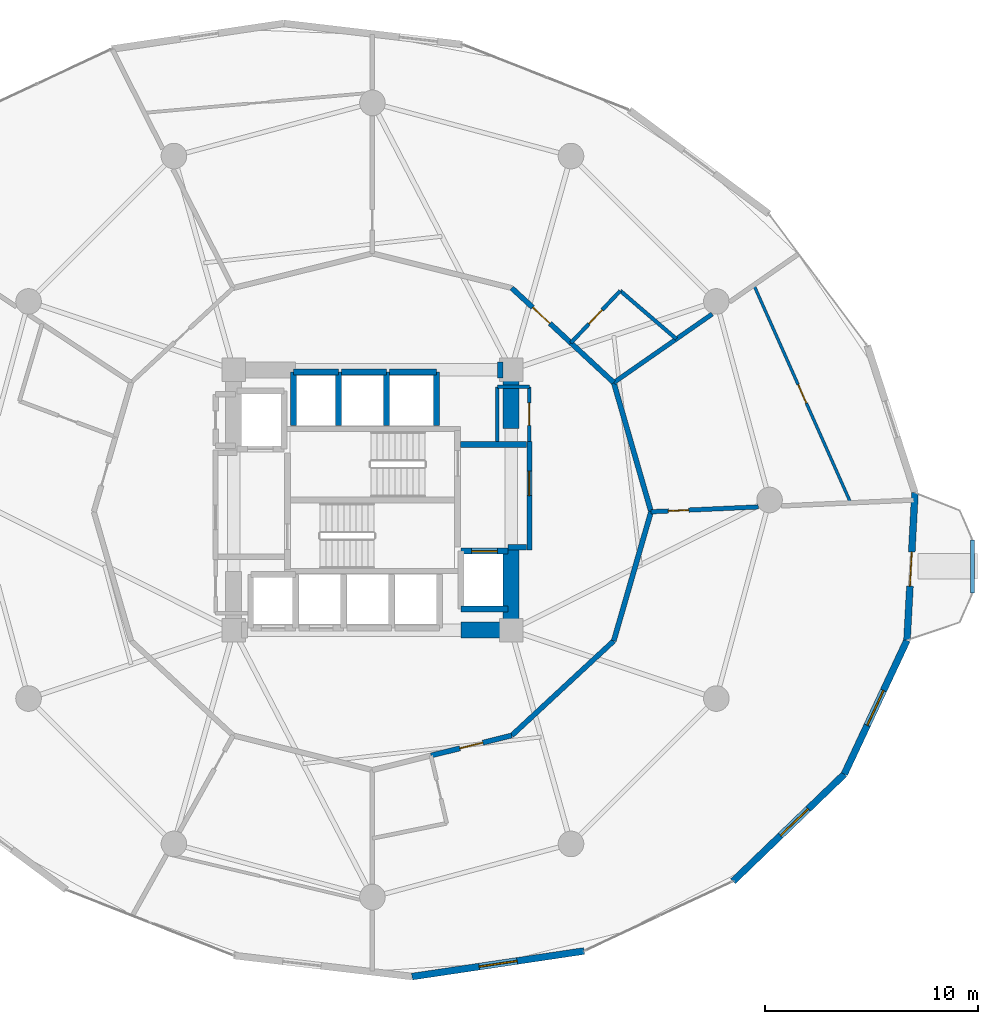
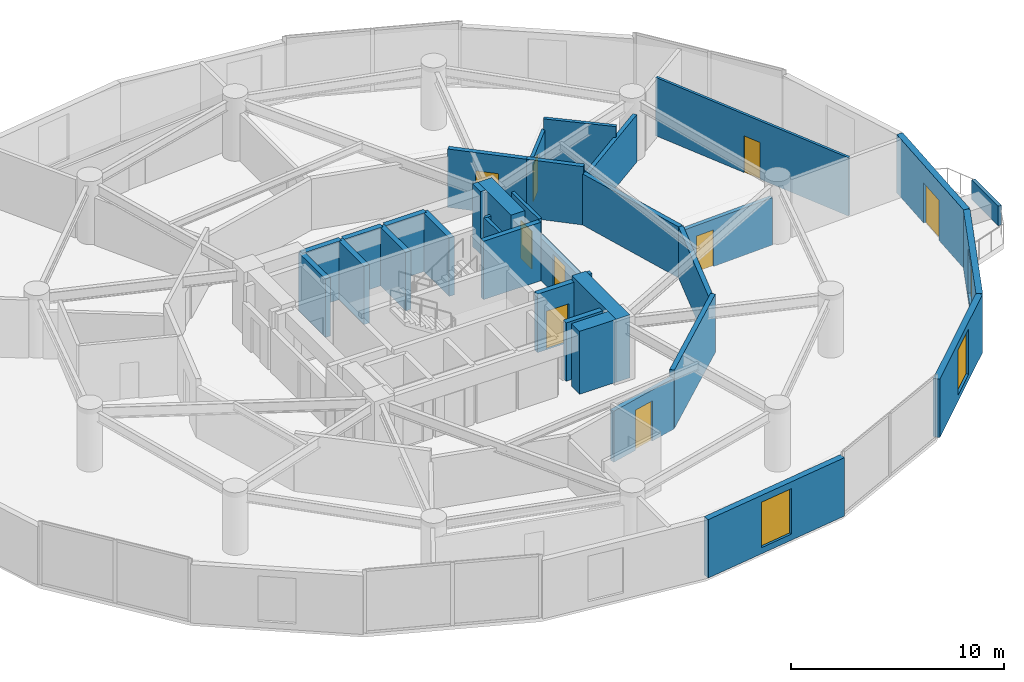
# One storey, part 21 of 25: 35 walls, 9 doors, 3 windows, 12 openings.
"""IFC4 building model written with IfcOpenShell, lengths in metres."""

from ifc_helpers import new_model, si_unit, direction, frame, frame_2d, origin, place, context, subcontext, project, spatial, rectangle, extrude, material, layer, layer_set, type_object, element, fill, save


model = new_model("IFC4")

# Units and contexts
model_context = context("Model", 3, precision=1e-05, world=origin(), true_north=direction((0.0, 1.0)))
body_context = subcontext(model_context, "Body", "Model", "MODEL_VIEW")
ifc_project = project(units=[si_unit("LENGTHUNIT", "METRE"), si_unit("AREAUNIT", "SQUARE_METRE"), si_unit("VOLUMEUNIT", "CUBIC_METRE"), si_unit("PLANEANGLEUNIT", "RADIAN"), si_unit("MASSUNIT", "GRAM", prefix="KILO")], contexts=[model_context])

# Site, building, storey
site_placement = place(None, origin())
site = spatial("IfcSite", under=ifc_project, at=site_placement, CompositionType="ELEMENT")
building_placement = place(site_placement, origin())
building = spatial("IfcBuilding", under=site, at=building_placement, Name="Solvirekh Grand Hotel", CompositionType="ELEMENT")
storey_placement = place(building_placement, frame((0.0, 0.0, 57.199951171875)))
storey = spatial("IfcBuildingStorey", under=building, at=storey_placement, Name="L13", CompositionType="ELEMENT", Elevation=57.199951171875)

# Walls
ifc_material_1 = material(Name="Concrete C40/50", Category="concrete")
ifc_layer_1 = layer(ifc_material_1, 0.280029296875)
ifc_layer_set_1 = layer_set([ifc_layer_1], Name="Concrete C40/50")
wall_type_1 = type_object("IfcWallType", Name="CoreShaftWall_RC280", PredefinedType="SOLIDWALL", material=ifc_layer_set_1)
wall_1_placement = place(storey_placement, frame((-1.60009765625, 6.0, 0.0), z_axis=(0.0, 0.0, 1.0), x_axis=(-1.0, 0.0, 0.0)))
element("IfcWall", 1, at=wall_1_placement, inside=storey, type_object=wall_type_1, Name="L13 HP-1 hoistway N wall", PredefinedType="SOLIDWALL", context=body_context, shape_type="SweptSolid", body=[
    extrude(rectangle(XDim=2.099853515625, YDim=0.280029296875, at=frame_2d((1.0498046875, 0.0))), origin(), (0.0, 0.0, 1.0), 3.340087890625),
])
for number, where, z_axis, x_axis, name in (
    (2, (-3.699951171875, 6.0, 0.0), (0.0, 0.0, 1.0), (0.0, -1.0, 0.0), "L13 HP-1 hoistway W wall"),
    (3, (-1.60009765625, 3.5, 0.0), (0.0, 0.0, 1.0), (0.0, 1.0, 0.0), "L13 HP-1 hoistway E wall"),
):
    element("IfcWall", number, at=place(storey_placement, frame(where, z_axis=z_axis, x_axis=x_axis)), inside=storey, type_object=wall_type_1, Name=name, PredefinedType="SOLIDWALL", context=body_context, shape_type="SweptSolid", body=[
        extrude(rectangle(XDim=2.5, YDim=0.280029296875, at=frame_2d((1.25, 0.0))), origin(), (0.0, 0.0, 1.0), 3.340087890625),
    ])
wall_2_placement = place(storey_placement, frame((0.64990234375, 6.0, 0.0), z_axis=(0.0, 0.0, 1.0), x_axis=(-1.0, 0.0, 0.0)))
element("IfcWall", 4, at=wall_2_placement, inside=storey, type_object=wall_type_1, Name="L13 HP-2 hoistway N wall", PredefinedType="SOLIDWALL", context=body_context, shape_type="SweptSolid", body=[
    extrude(rectangle(XDim=2.099853515625, YDim=0.280029296875, at=frame_2d((1.0498046875, 0.0))), origin(), (0.0, 0.0, 1.0), 3.340087890625),
])
wall_3_placement = place(storey_placement, frame((0.64990234375, 3.5, 0.0), z_axis=(0.0, 0.0, 1.0), x_axis=(0.0, 1.0, 0.0)))
element("IfcWall", 5, at=wall_3_placement, inside=storey, type_object=wall_type_1, Name="L13 HP-2 hoistway E wall", PredefinedType="SOLIDWALL", context=body_context, shape_type="SweptSolid", body=[
    extrude(rectangle(XDim=2.5, YDim=0.280029296875, at=frame_2d((1.25, 0.0))), origin(), (0.0, 0.0, 1.0), 3.340087890625),
])
wall_4_placement = place(storey_placement, frame((3.0, 6.0, 0.0), z_axis=(0.0, 0.0, 1.0), x_axis=(-1.0, 0.0, 0.0)))
element("IfcWall", 6, at=wall_4_placement, inside=storey, type_object=wall_type_1, Name="L13 EX-1 hoistway N wall", PredefinedType="SOLIDWALL", context=body_context, shape_type="SweptSolid", body=[
    extrude(rectangle(XDim=2.199951171875, YDim=0.280029296875, at=frame_2d((1.10009765625, 0.0))), origin(), (0.0, 0.0, 1.0), 3.340087890625),
])
wall_5_placement = place(storey_placement, frame((3.0, 3.5, 0.0), z_axis=(0.0, 0.0, 1.0), x_axis=(0.0, 1.0, 0.0)))
element("IfcWall", 7, at=wall_5_placement, inside=storey, type_object=wall_type_1, Name="L13 EX-1 hoistway E wall", PredefinedType="SOLIDWALL", context=body_context, shape_type="SweptSolid", body=[
    extrude(rectangle(XDim=2.5, YDim=0.280029296875, at=frame_2d((1.25, 0.0))), origin(), (0.0, 0.0, 1.0), 3.340087890625),
])
wall_6_placement = place(storey_placement, frame((4.14990234375, -5.10009765625, 0.0), z_axis=(0.0, 0.0, 1.0), x_axis=(1.0, 0.0, 0.0)))
element("IfcWall", 8, at=wall_6_placement, inside=storey, type_object=wall_type_1, Name="L13 FL-2 hoistway S wall", PredefinedType="SOLIDWALL", context=body_context, shape_type="SweptSolid", body=[
    extrude(rectangle(XDim=2.2001953125, YDim=0.280029296875, at=frame_2d((1.10009765625, 0.0))), origin(), (0.0, 0.0, 1.0), 3.340087890625),
])

# Wall, opening, door
wall_7_placement = place(storey_placement, frame((6.35009765625, -2.39990234375, 0.0), z_axis=(0.0, 0.0, 1.0), x_axis=(-1.0, 0.0, 0.0)))
wall_7 = element("IfcWall", 9, at=wall_7_placement, inside=storey, type_object=wall_type_1, Name="L13 FL-2 hoistway N wall", PredefinedType="SOLIDWALL", context=body_context, shape_type="SweptSolid", body=[
    extrude(rectangle(XDim=2.2001953125, YDim=0.280029296875, at=frame_2d((1.10009765625, 0.0))), origin(), (0.0, 0.0, 1.0), 3.340087890625),
])
opening_1_placement = place(wall_7_placement, frame((0.5, 0.0, 0.0)))
opening_1 = element("IfcOpeningElement", 10, at=opening_1_placement, cuts=wall_7, Name="Opening LD02", PredefinedType="OPENING", context=body_context, shape_type="SweptSolid", body=[
    extrude(rectangle(XDim=1.199951171875, YDim=2.199951171875, at=frame_2d((0.60009765625, 1.10009765625))), frame((0.0, 0.14990234375, 0.0), z_axis=(0.0, -1.0, 0.0), x_axis=(1.0, 0.0, 0.0)), (0.0, 0.0, 1.0), 0.300048828125),
])
ifc_material_2 = material(Name="Fire-Rated Steel Door Assembly", Category="steel")
door_type_1 = type_object("IfcDoorType", Name="Door_LiftFF_1200X2200", OperationType="SLIDING_TO_LEFT", PredefinedType="DOOR", material=ifc_material_2)
door_1_placement = place(opening_1_placement, origin())
door_1 = element("IfcDoor", 11, at=door_1_placement, inside=storey, type_object=door_type_1, Name="L13 FL-2 sliding lift landing door", OperationType="SLIDING_TO_LEFT", OverallHeight=2.199951171875, OverallWidth=1.199951171875, PredefinedType="DOOR", context=body_context, shape_type="SweptSolid", body=[
    extrude(rectangle(XDim=1.199951171875, YDim=2.199951171875, at=frame_2d((0.60009765625, 1.10009765625))), frame((0.0, 0.02490234375, 0.0), z_axis=(0.0, -1.0, 0.0), x_axis=(1.0, 0.0, 0.0)), (0.0, 0.0, 1.0), 0.050048828125),
])
fill(opening_1, door_1)

# Walls
ifc_material_3 = material(Name="Concrete C60/75", Category="concrete")
ifc_layer_2 = layer(ifc_material_3, 0.75)
ifc_layer_set_2 = layer_set([ifc_layer_2], Name="Concrete C60/75")
wall_type_2 = type_object("IfcWallType", Name="CoreWall_RC750", PredefinedType="SHEAR", material=ifc_layer_set_2)
wall_8_placement = place(storey_placement, frame((4.14990234375, -6.10009765625, 0.0), z_axis=(0.0, 0.0, 1.0), x_axis=(1.0, 0.0, 0.0)))
element("IfcWall", 12, at=wall_8_placement, inside=storey, type_object=wall_type_2, Name="L13 core corner shear wall SE-S", PredefinedType="SHEAR", context=body_context, shape_type="SweptSolid", body=[
    extrude(rectangle(XDim=1.97509765625, YDim=0.75, at=frame_2d((0.987548828125, 0.0))), origin(), (0.0, 0.0, 1.0), 3.60009765625),
])
wall_9_placement = place(storey_placement, frame((5.85009765625, 6.10009765625, 0.0), z_axis=(0.0, 0.0, 1.0), x_axis=(1.0, 0.0, 0.0)))
element("IfcWall", 13, at=wall_9_placement, inside=storey, type_object=wall_type_2, Name="L13 core corner shear wall NE-N", PredefinedType="SHEAR", context=body_context, shape_type="SweptSolid", body=[
    extrude(rectangle(XDim=0.27490234375, YDim=0.75, at=frame_2d((0.137451171875, 0.0))), origin(), (0.0, 0.0, 1.0), 3.60009765625),
])
wall_10_placement = place(storey_placement, frame((6.5, -6.47509765625, 0.0), z_axis=(0.0, 0.0, 1.0), x_axis=(0.0, 1.0, 0.0)))
element("IfcWall", 14, at=wall_10_placement, inside=storey, type_object=wall_type_2, Name="L13 core corner shear wall ES-E", PredefinedType="SHEAR", context=body_context, shape_type="SweptSolid", body=[
    extrude(rectangle(XDim=4.125, YDim=0.75, at=frame_2d((2.0625, 0.0))), origin(), (0.0, 0.0, 1.0), 3.60009765625),
])
wall_11_placement = place(storey_placement, frame((6.5, 3.35009765625, 0.0), z_axis=(0.0, 0.0, 1.0), x_axis=(0.0, 1.0, 0.0)))
element("IfcWall", 15, at=wall_11_placement, inside=storey, type_object=wall_type_2, Name="L13 core corner shear wall EN-E", PredefinedType="SHEAR", context=body_context, shape_type="SweptSolid", body=[
    extrude(rectangle(XDim=3.125, YDim=0.75, at=frame_2d((1.5625, 0.0))), origin(), (0.0, 0.0, 1.0), 3.60009765625),
])

# Wall, opening, door
ifc_material_4 = material(Name="Precast concrete C45/55", Category="concrete")
ifc_layer_3 = layer(ifc_material_4, 0.320068359375)
ifc_layer_set_3 = layer_set([ifc_layer_3], Name="Precast concrete C45/55")
wall_type_3 = type_object("IfcWallType", Name="ExtLobbyWall_RC320", PredefinedType="SOLIDWALL", material=ifc_layer_set_3)
wall_12_placement = place(storey_placement, frame((25.410888671875, 0.346923828125, 0.0), z_axis=(0.0, 0.0, 1.0), x_axis=(-0.053693088924, -0.998557485677, 0.0)))
wall_12 = element("IfcWall", 16, at=wall_12_placement, inside=storey, type_object=wall_type_3, Name="L13 exterior structural wall chord 1", PredefinedType="SOLIDWALL", context=body_context, shape_type="SweptSolid", body=[
    extrude(rectangle(XDim=6.925048828125, YDim=0.320068359375, at=frame_2d((3.46240234375, 0.0))), origin(), (0.0, 0.0, 1.0), 3.340087890625),
])
opening_2_placement = place(wall_12_placement, frame((2.787109375, 0.0, 0.0)))
opening_2 = element("IfcOpeningElement", 17, at=opening_2_placement, cuts=wall_12, Name="Opening D04", PredefinedType="OPENING", context=body_context, shape_type="SweptSolid", body=[
    extrude(rectangle(XDim=1.60009765625, YDim=2.300048828125, at=frame_2d((0.800048828125, 1.14990234375))), frame((0.0, 0.169921875, 0.0), z_axis=(0.0, -1.0, 0.0), x_axis=(1.0, 0.0, 0.0)), (0.0, 0.0, 1.0), 0.340087890625),
])
ifc_material_5 = material(Name="Anodized Bronze Aluminium 6063-T6", Category="aluminium")
door_type_2 = type_object("IfcDoorType", Name="Door_ExtTerrace_1600X2300", OperationType="NOTDEFINED", PredefinedType="DOOR", material=ifc_material_5)
door_2_placement = place(opening_2_placement, origin())
door_2 = element("IfcDoor", 18, at=door_2_placement, inside=storey, type_object=door_type_2, Name="L13 East horn sky-garden terrace door (1)", OperationType="SINGLE_SWING_LEFT", OverallHeight=2.300048828125, OverallWidth=1.60009765625, PredefinedType="DOOR", context=body_context, shape_type="SweptSolid", body=[
    extrude(rectangle(XDim=1.60009765625, YDim=2.300048828125, at=frame_2d((0.800048828125, 1.14990234375))), frame((0.0, 0.02490234375, 0.0), z_axis=(0.0, -1.0, 0.0), x_axis=(1.0, 0.0, 0.0)), (0.0, 0.0, 1.0), 0.050048828125),
])
fill(opening_2, door_2)

# Wall, opening, window
wall_13_placement = place(storey_placement, frame((9.9130859375, -21.125, 0.0), z_axis=(0.0, 0.0, 1.0), x_axis=(-0.989116261704, -0.147136062314, 0.0)))
wall_13 = element("IfcWall", 19, at=wall_13_placement, inside=storey, type_object=wall_type_3, Name="L13 exterior structural wall chord 17", PredefinedType="SOLIDWALL", context=body_context, shape_type="SweptSolid", body=[
    extrude(rectangle(XDim=8.148681640625, YDim=0.320068359375, at=frame_2d((4.07421875, 0.0))), origin(), (0.0, 0.0, 1.0), 3.340087890625),
])
opening_3_placement = place(wall_13_placement, frame((3.174072265625, 0.0, 0.35009765625)))
opening_3 = element("IfcOpeningElement", 20, at=opening_3_placement, cuts=wall_13, Name="Opening W02", PredefinedType="OPENING", context=body_context, shape_type="SweptSolid", body=[
    extrude(rectangle(XDim=1.800048828125, YDim=2.60009765625, at=frame_2d((0.89990234375, 1.300048828125))), frame((0.0, 0.169921875, 0.0), z_axis=(0.0, -1.0, 0.0), x_axis=(1.0, 0.0, 0.0)), (0.0, 0.0, 1.0), 0.340087890625),
])
ifc_material_6 = material(Name="Low-E Tinted Bronze Laminated Glass", Category="aluminium")
window_type = type_object("IfcWindowType", Name="Win_LobbyExt_1800X2600", PartitioningType="SINGLE_PANEL", PredefinedType="WINDOW", material=ifc_material_6)
window_1_placement = place(opening_3_placement, origin())
window_1 = element("IfcWindow", 21, at=window_1_placement, inside=storey, type_object=window_type, Name="L13 panoramic bronze-framed window 17", OverallHeight=2.60009765625, OverallWidth=1.800048828125, PartitioningType="SINGLE_PANEL", PredefinedType="WINDOW", context=body_context, shape_type="SweptSolid", body=[
    extrude(rectangle(XDim=1.800048828125, YDim=2.60009765625, at=frame_2d((0.89990234375, 1.300048828125))), frame((0.0, 0.030029296875, 0.0), z_axis=(0.0, -1.0, 0.0), x_axis=(1.0, 0.0, 0.0)), (0.0, 0.0, 1.0), 0.06005859375),
])
fill(opening_3, window_1)

wall_14_placement = place(storey_placement, frame((22.10302734375, -12.841064453125, 0.0), z_axis=(0.0, 0.0, 1.0), x_axis=(-0.720528167553, -0.693425669963, 0.0)))
wall_14 = element("IfcWall", 22, at=wall_14_placement, inside=storey, type_object=wall_type_3, Name="L13 exterior structural wall chord 19", PredefinedType="SOLIDWALL", context=body_context, shape_type="SweptSolid", body=[
    extrude(rectangle(XDim=7.2333984375, YDim=0.320068359375, at=frame_2d((3.61669921875, 0.0))), origin(), (0.0, 0.0, 1.0), 3.340087890625),
])
opening_4_placement = place(wall_14_placement, frame((2.34912109375, 0.0, 0.35009765625)))
opening_4 = element("IfcOpeningElement", 23, at=opening_4_placement, cuts=wall_14, Name="Opening W02", PredefinedType="OPENING", context=body_context, shape_type="SweptSolid", body=[
    extrude(rectangle(XDim=1.800048828125, YDim=2.60009765625, at=frame_2d((0.89990234375, 1.300048828125))), frame((0.0, 0.169921875, 0.0), z_axis=(0.0, -1.0, 0.0), x_axis=(1.0, 0.0, 0.0)), (0.0, 0.0, 1.0), 0.340087890625),
])
window_2_placement = place(opening_4_placement, origin())
window_2 = element("IfcWindow", 24, at=window_2_placement, inside=storey, type_object=window_type, Name="L13 panoramic bronze-framed window 19", OverallHeight=2.60009765625, OverallWidth=1.800048828125, PartitioningType="SINGLE_PANEL", PredefinedType="WINDOW", context=body_context, shape_type="SweptSolid", body=[
    extrude(rectangle(XDim=1.800048828125, YDim=2.60009765625, at=frame_2d((0.89990234375, 1.300048828125))), frame((0.0, 0.030029296875, 0.0), z_axis=(0.0, -1.0, 0.0), x_axis=(1.0, 0.0, 0.0)), (0.0, 0.0, 1.0), 0.06005859375),
])
fill(opening_4, window_2)

wall_15_placement = place(storey_placement, frame((25.0390625, -6.568115234375, 0.0), z_axis=(0.0, 0.0, 1.0), x_axis=(-0.423911806675, -0.905703472535, 0.0)))
wall_15 = element("IfcWall", 25, at=wall_15_placement, inside=storey, type_object=wall_type_3, Name="L13 exterior structural wall chord 20", PredefinedType="SOLIDWALL", context=body_context, shape_type="SweptSolid", body=[
    extrude(rectangle(XDim=6.926025390625, YDim=0.320068359375, at=frame_2d((3.462890625, 0.0))), origin(), (0.0, 0.0, 1.0), 3.340087890625),
])
opening_5_placement = place(wall_15_placement, frame((2.59912109375, 0.0, 0.35009765625)))
opening_5 = element("IfcOpeningElement", 26, at=opening_5_placement, cuts=wall_15, Name="Opening W02", PredefinedType="OPENING", context=body_context, shape_type="SweptSolid", body=[
    extrude(rectangle(XDim=1.800048828125, YDim=2.60009765625, at=frame_2d((0.89990234375, 1.300048828125))), frame((0.0, 0.169921875, 0.0), z_axis=(0.0, -1.0, 0.0), x_axis=(1.0, 0.0, 0.0)), (0.0, 0.0, 1.0), 0.340087890625),
])
window_3_placement = place(opening_5_placement, origin())
window_3 = element("IfcWindow", 27, at=window_3_placement, inside=storey, type_object=window_type, Name="L13 panoramic bronze-framed window 20", OverallHeight=2.60009765625, OverallWidth=1.800048828125, PartitioningType="SINGLE_PANEL", PredefinedType="WINDOW", context=body_context, shape_type="SweptSolid", body=[
    extrude(rectangle(XDim=1.800048828125, YDim=2.60009765625, at=frame_2d((0.89990234375, 1.300048828125))), frame((0.0, 0.030029296875, 0.0), z_axis=(0.0, -1.0, 0.0), x_axis=(1.0, 0.0, 0.0)), (0.0, 0.0, 1.0), 0.06005859375),
])
fill(opening_5, window_3)

# Wall
ifc_layer_4 = layer(ifc_material_4, 0.179931640625)
ifc_layer_set_4 = layer_set([ifc_layer_4], Name="Precast concrete C45/55")
wall_type_4 = type_object("IfcWallType", Name="ExtPlanterWall_180", PredefinedType="PARAPET", material=ifc_layer_set_4)
wall_16_placement = place(storey_placement, frame((28.111083984375, -4.35498046875, 0.0), z_axis=(0.0, 0.0, 1.0), x_axis=(0.0, 1.0, 0.0)))
element("IfcWall", 28, at=wall_16_placement, inside=storey, type_object=wall_type_4, Name="L13 horn sky-garden planter parapet", PredefinedType="PARAPET", context=body_context, shape_type="SweptSolid", body=[
    extrude(rectangle(XDim=2.489013671875, YDim=0.179931640625, at=frame_2d((1.24462890625, 0.0))), origin(), (0.0, 0.0, 1.0), 1.1201171875),
])

# Wall, opening, door
ifc_material_7 = material(Name="Acoustic Gypsum Partition Assembly")
ifc_layer_5 = layer(ifc_material_7, 0.1650390625)
ifc_layer_set_5 = layer_set([ifc_layer_5], Name="Acoustic Gypsum Partition Assembly")
wall_type_5 = type_object("IfcWallType", Name="Part_BOH_165", PredefinedType="PARTITIONING", material=ifc_layer_set_5)
wall_17_placement = place(storey_placement, frame((7.35009765625, 2.75, 0.0), z_axis=(0.0, 0.0, 1.0), x_axis=(0.0, 1.0, 0.0)))
wall_17 = element("IfcWall", 29, at=wall_17_placement, inside=storey, type_object=wall_type_5, Name="L13 L13 Telecom Distribution Room wall 2", PredefinedType="PARTITIONING", context=body_context, shape_type="SweptSolid", body=[
    extrude(rectangle(XDim=2.550048828125, YDim=0.1650390625, at=frame_2d((1.27490234375, 0.0))), origin(), (0.0, 0.0, 1.0), 3.340087890625),
])
opening_6_placement = place(wall_17_placement, frame((0.75, 0.0, 0.0)))
opening_6 = element("IfcOpeningElement", 30, at=opening_6_placement, cuts=wall_17, Name="Opening D12", PredefinedType="OPENING", context=body_context, shape_type="SweptSolid", body=[
    extrude(rectangle(XDim=1.050048828125, YDim=2.14990234375, at=frame_2d((0.52490234375, 1.074951171875))), frame((0.0, 0.092529296875, 0.0), z_axis=(0.0, -1.0, 0.0), x_axis=(1.0, 0.0, 0.0)), (0.0, 0.0, 1.0), 0.18505859375),
])
door_type_3 = type_object("IfcDoorType", Name="Door_PlantBOH_1050X2150", OperationType="NOTDEFINED", PredefinedType="DOOR", material=ifc_material_2)
door_3_placement = place(opening_6_placement, origin())
door_3 = element("IfcDoor", 31, at=door_3_placement, inside=storey, type_object=door_type_3, Name="L13 L13 Telecom Distribution Room door", OperationType="SINGLE_SWING_RIGHT", OverallHeight=2.14990234375, OverallWidth=1.050048828125, PredefinedType="DOOR", context=body_context, shape_type="SweptSolid", body=[
    extrude(rectangle(XDim=1.050048828125, YDim=2.14990234375, at=frame_2d((0.52490234375, 1.074951171875))), frame((0.0, 0.02490234375, 0.0), z_axis=(0.0, -1.0, 0.0), x_axis=(1.0, 0.0, 0.0)), (0.0, 0.0, 1.0), 0.050048828125),
])
fill(opening_6, door_3)

# Walls
wall_18_placement = place(storey_placement, frame((7.35009765625, 5.300048828125, 0.0), z_axis=(0.0, 0.0, 1.0), x_axis=(-1.0, 0.0, 0.0)))
element("IfcWall", 32, at=wall_18_placement, inside=storey, type_object=wall_type_5, Name="L13 L13 Telecom Distribution Room wall 3", PredefinedType="PARTITIONING", context=body_context, shape_type="SweptSolid", body=[
    extrude(rectangle(XDim=1.5, YDim=0.1650390625, at=frame_2d((0.75, 0.0))), origin(), (0.0, 0.0, 1.0), 2.425048828125),
])
wall_19_placement = place(storey_placement, frame((5.85009765625, 5.300048828125, 0.0), z_axis=(0.0, 0.0, 1.0), x_axis=(0.0, -1.0, 0.0)))
element("IfcWall", 33, at=wall_19_placement, inside=storey, type_object=wall_type_5, Name="L13 L13 Telecom Distribution Room wall 4", PredefinedType="PARTITIONING", context=body_context, shape_type="SweptSolid", body=[
    extrude(rectangle(XDim=2.550048828125, YDim=0.1650390625, at=frame_2d((1.27490234375, 0.0))), origin(), (0.0, 0.0, 1.0), 2.425048828125),
])

# Wall, opening, door
ifc_layer_6 = layer(ifc_material_7, 0.239990234375)
ifc_layer_set_6 = layer_set([ifc_layer_6], Name="Acoustic Gypsum Partition Assembly")
wall_type_6 = type_object("IfcWallType", Name="Part_Corridor_240", PredefinedType="PARTITIONING", material=ifc_layer_set_6)
wall_20_placement = place(storey_placement, frame((7.35009765625, -2.340087890625, 0.0), z_axis=(0.0, 0.0, 1.0), x_axis=(0.0, 1.0, 0.0)))
wall_20 = element("IfcWall", 34, at=wall_20_placement, inside=storey, type_object=wall_type_6, Name="L13 east firefighting lobby smoke screen wall", PredefinedType="PARTITIONING", context=body_context, shape_type="SweptSolid", body=[
    extrude(rectangle(XDim=5.070068359375, YDim=0.239990234375, at=frame_2d((2.53515625, 0.0))), origin(), (0.0, 0.0, 1.0), 2.425048828125),
])
opening_7_placement = place(wall_20_placement, frame((2.548095703125, 0.0, 0.0)))
opening_7 = element("IfcOpeningElement", 35, at=opening_7_placement, cuts=wall_20, Name="Opening D06", PredefinedType="OPENING", context=body_context, shape_type="SweptSolid", body=[
    extrude(rectangle(XDim=1.14990234375, YDim=2.199951171875, at=frame_2d((0.574951171875, 1.10009765625))), frame((0.0, 0.1298828125, 0.0), z_axis=(0.0, -1.0, 0.0), x_axis=(1.0, 0.0, 0.0)), (0.0, 0.0, 1.0), 0.260009765625),
])
door_type_4 = type_object("IfcDoorType", Name="Door_FFLobby_1150X2200", OperationType="NOTDEFINED", PredefinedType="DOOR", material=ifc_material_2)
door_4_placement = place(opening_7_placement, origin())
door_4 = element("IfcDoor", 36, at=door_4_placement, inside=storey, type_object=door_type_4, Name="L13 east firefighting lobby smoke door", OperationType="SINGLE_SWING_LEFT", OverallHeight=2.199951171875, OverallWidth=1.14990234375, PredefinedType="DOOR", context=body_context, shape_type="SweptSolid", body=[
    extrude(rectangle(XDim=1.14990234375, YDim=2.199951171875, at=frame_2d((0.574951171875, 1.10009765625))), frame((0.0, 0.02490234375, 0.0), z_axis=(0.0, -1.0, 0.0), x_axis=(1.0, 0.0, 0.0)), (0.0, 0.0, 1.0), 0.050048828125),
])
fill(opening_7, door_4)

# Walls
wall_21_placement = place(storey_placement, frame((6.52490234375, -11.029052734375, 0.0), z_axis=(0.0, 0.0, 1.0), x_axis=(0.733323191675, 0.679880207501, 0.0)))
element("IfcWall", 37, at=wall_21_placement, inside=storey, type_object=wall_type_6, Name="L13 Presidential Suite 1502 Living Room corridor wall 1", PredefinedType="PARTITIONING", context=body_context, shape_type="SweptSolid", body=[
    extrude(rectangle(XDim=6.514404296875, YDim=0.239990234375, at=frame_2d((3.25732421875, 0.0))), origin(), (0.0, 0.0, 1.0), 3.340087890625),
])
wall_22_placement = place(storey_placement, frame((11.302001953125, -6.60009765625, 0.0), z_axis=(0.0, 0.0, 1.0), x_axis=(0.27757702443, 0.960703385811, 0.0)))
element("IfcWall", 38, at=wall_22_placement, inside=storey, type_object=wall_type_6, Name="L13 Presidential Suite 1502 Living Room corridor wall 2", PredefinedType="PARTITIONING", context=body_context, shape_type="SweptSolid", body=[
    extrude(rectangle(XDim=6.297607421875, YDim=0.239990234375, at=frame_2d((3.14892578125, 0.0))), origin(), (0.0, 0.0, 1.0), 2.9189453125),
])

# Wall, opening, door
wall_23_placement = place(storey_placement, frame((2.739990234375, -11.968994140625, 0.0), z_axis=(0.0, 0.0, 1.0), x_axis=(0.97052060898, 0.24101814775, 0.0)))
wall_23 = element("IfcWall", 39, at=wall_23_placement, inside=storey, type_object=wall_type_6, Name="L13 Presidential Suite 1502 Living Room entrance wall", PredefinedType="PARTITIONING", context=body_context, shape_type="SweptSolid", body=[
    extrude(rectangle(XDim=3.89990234375, YDim=0.239990234375, at=frame_2d((1.949951171875, 0.0))), origin(), (0.0, 0.0, 1.0), 2.9189453125),
])
opening_8_placement = place(wall_23_placement, frame((1.39990234375, 0.0, 0.0)))
opening_8 = element("IfcOpeningElement", 40, at=opening_8_placement, cuts=wall_23, Name="Opening D08", PredefinedType="OPENING", context=body_context, shape_type="SweptSolid", body=[
    extrude(rectangle(XDim=1.10009765625, YDim=2.300048828125, at=frame_2d((0.550048828125, 1.14990234375))), frame((0.0, 0.1298828125, 0.0), z_axis=(0.0, -1.0, 0.0), x_axis=(1.0, 0.0, 0.0)), (0.0, 0.0, 1.0), 0.260009765625),
])
door_type_5 = type_object("IfcDoorType", Name="Door_SuiteEntry_1100X2300", OperationType="NOTDEFINED", PredefinedType="DOOR", material=ifc_material_2)
door_5_placement = place(opening_8_placement, origin())
door_5 = element("IfcDoor", 41, at=door_5_placement, inside=storey, type_object=door_type_5, Name="L13 Presidential Suite 1502 Living Room entrance door", OperationType="SINGLE_SWING_RIGHT", OverallHeight=2.300048828125, OverallWidth=1.10009765625, PredefinedType="DOOR", context=body_context, shape_type="SweptSolid", body=[
    extrude(rectangle(XDim=1.10009765625, YDim=2.300048828125, at=frame_2d((0.550048828125, 1.14990234375))), frame((0.0, 0.02490234375, 0.0), z_axis=(0.0, -1.0, 0.0), x_axis=(1.0, 0.0, 0.0)), (0.0, 0.0, 1.0), 0.050048828125),
])
fill(opening_8, door_5)

# Walls
wall_24_placement = place(storey_placement, frame((13.050048828125, -0.550048828125, 0.0), z_axis=(0.0, 0.0, 1.0), x_axis=(-0.27757702443, 0.960703385811, 0.0)))
element("IfcWall", 42, at=wall_24_placement, inside=storey, type_object=wall_type_6, Name="L13 Presidential Suite 1502 Suite Foyer corridor enclosure wall", PredefinedType="PARTITIONING", context=body_context, shape_type="SweptSolid", body=[
    extrude(rectangle(XDim=6.297607421875, YDim=0.239990234375, at=frame_2d((3.14892578125, 0.0))), origin(), (0.0, 0.0, 1.0), 2.9189453125),
])
wall_25_placement = place(storey_placement, frame((11.302001953125, 5.5, 0.0), z_axis=(0.0, 0.0, 1.0), x_axis=(-0.73328595385, 0.679920370254, 0.0)))
element("IfcWall", 43, at=wall_25_placement, inside=storey, type_object=wall_type_6, Name="L13 En-suite Bathroom 1503 corridor backing wall", PredefinedType="PARTITIONING", context=body_context, shape_type="SweptSolid", body=[
    extrude(rectangle(XDim=2.73583984375, YDim=0.239990234375, at=frame_2d((1.367919921875, 0.0))), origin(), (0.0, 0.0, 1.0), 3.340087890625),
])

# Wall, opening, door
wall_26_placement = place(storey_placement, frame((9.2958984375, 7.360107421875, 0.0), z_axis=(0.0, 0.0, 1.0), x_axis=(-0.733350151535, 0.679851127265, 0.0)))
wall_26 = element("IfcWall", 44, at=wall_26_placement, inside=storey, type_object=wall_type_6, Name="L13 Diplomatic Suite 1503 Living Room entrance wall", PredefinedType="PARTITIONING", context=body_context, shape_type="SweptSolid", body=[
    extrude(rectangle(XDim=3.778564453125, YDim=0.239990234375, at=frame_2d((1.88916015625, 0.0))), origin(), (0.0, 0.0, 1.0), 3.340087890625),
])
opening_9_placement = place(wall_26_placement, frame((1.339111328125, 0.0, 0.0)))
opening_9 = element("IfcOpeningElement", 45, at=opening_9_placement, cuts=wall_26, Name="Opening D08", PredefinedType="OPENING", context=body_context, shape_type="SweptSolid", body=[
    extrude(rectangle(XDim=1.10009765625, YDim=2.300048828125, at=frame_2d((0.550048828125, 1.14990234375))), frame((0.0, 0.1298828125, 0.0), z_axis=(0.0, -1.0, 0.0), x_axis=(1.0, 0.0, 0.0)), (0.0, 0.0, 1.0), 0.260009765625),
])
door_6_placement = place(opening_9_placement, origin())
door_6 = element("IfcDoor", 46, at=door_6_placement, inside=storey, type_object=door_type_5, Name="L13 Diplomatic Suite 1503 Living Room entrance door", OperationType="SINGLE_SWING_RIGHT", OverallHeight=2.300048828125, OverallWidth=1.10009765625, PredefinedType="DOOR", context=body_context, shape_type="SweptSolid", body=[
    extrude(rectangle(XDim=1.10009765625, YDim=2.300048828125, at=frame_2d((0.550048828125, 1.14990234375))), frame((0.0, 0.02490234375, 0.0), z_axis=(0.0, -1.0, 0.0), x_axis=(1.0, 0.0, 0.0)), (0.0, 0.0, 1.0), 0.050048828125),
])
fill(opening_9, door_6)

# Walls
ifc_layer_7 = layer(ifc_material_7, 0.260009765625)
ifc_layer_set_7 = layer_set([ifc_layer_7], Name="Acoustic Gypsum Partition Assembly")
wall_type_7 = type_object("IfcWallType", Name="Part_LobbyFF_260", PredefinedType="PARTITIONING", material=ifc_layer_set_7)
wall_27_placement = place(storey_placement, frame((6.35009765625, -2.2099609375, 0.0), z_axis=(0.0, 0.0, 1.0), x_axis=(1.0, 0.0, 0.0)))
element("IfcWall", 47, at=wall_27_placement, inside=storey, type_object=wall_type_7, Name="L13 east firefighting lobby SE cheek", PredefinedType="PARTITIONING", context=body_context, shape_type="SweptSolid", body=[
    extrude(rectangle(XDim=0.875, YDim=0.260009765625, at=frame_2d((0.4375, 0.0))), origin(), (0.0, 0.0, 1.0), 3.340087890625),
])
wall_28_placement = place(storey_placement, frame((4.1298828125, 2.60009765625, 0.0), z_axis=(0.0, 0.0, 1.0), x_axis=(1.0, 0.0, 0.0)))
element("IfcWall", 48, at=wall_28_placement, inside=storey, type_object=wall_type_7, Name="L13 east firefighting lobby north partition", PredefinedType="PARTITIONING", context=body_context, shape_type="SweptSolid", body=[
    extrude(rectangle(XDim=3.09521484375, YDim=0.260009765625, at=frame_2d((1.547607421875, 0.0))), origin(), (0.0, 0.0, 1.0), 3.340087890625),
])

# Wall, opening, door
ifc_layer_8 = layer(ifc_material_7, 0.135009765625)
ifc_layer_set_8 = layer_set([ifc_layer_8], Name="Acoustic Gypsum Partition Assembly")
wall_type_8 = type_object("IfcWallType", Name="Part_RoomInt_135", PredefinedType="PARTITIONING", material=ifc_layer_set_8)
wall_29_placement = place(storey_placement, frame((22.39990234375, -0.132080078125, 0.0), z_axis=(0.0, 0.0, 1.0), x_axis=(-0.406250071735, 0.913761937933, 0.0)))
wall_29 = element("IfcWall", 49, at=wall_29_placement, inside=storey, type_object=wall_type_8, Name="L13 Presidential Suite 1502 Suite Foyer bedroom screen wall", PredefinedType="PARTITIONING", context=body_context, shape_type="SweptSolid", body=[
    extrude(rectangle(XDim=11.162841796875, YDim=0.135009765625, at=frame_2d((5.58154296875, 0.0))), origin(), (0.0, 0.0, 1.0), 3.340087890625),
])
opening_10_placement = place(wall_29_placement, frame((5.10595703125, 0.0, 0.0)))
opening_10 = element("IfcOpeningElement", 50, at=opening_10_placement, cuts=wall_29, Name="Opening D10", PredefinedType="OPENING", context=body_context, shape_type="SweptSolid", body=[
    extrude(rectangle(XDim=0.949951171875, YDim=2.10009765625, at=frame_2d((0.47509765625, 1.050048828125))), frame((0.0, 0.07763671875, 0.0), z_axis=(0.0, -1.0, 0.0), x_axis=(1.0, 0.0, 0.0)), (0.0, 0.0, 1.0), 0.155029296875),
])
door_type_6 = type_object("IfcDoorType", Name="Door_RoomInt_950X2100", OperationType="NOTDEFINED", PredefinedType="DOOR", material=ifc_material_5)
door_7_placement = place(opening_10_placement, origin())
door_7 = element("IfcDoor", 51, at=door_7_placement, inside=storey, type_object=door_type_6, Name="L13 Presidential Suite 1502 Suite Foyer master bedroom door", OperationType="SINGLE_SWING_RIGHT", OverallHeight=2.10009765625, OverallWidth=0.949951171875, PredefinedType="DOOR", context=body_context, shape_type="SweptSolid", body=[
    extrude(rectangle(XDim=0.949951171875, YDim=2.10009765625, at=frame_2d((0.47509765625, 1.050048828125))), frame((0.0, 0.02490234375, 0.0), z_axis=(0.0, -1.0, 0.0), x_axis=(1.0, 0.0, 0.0)), (0.0, 0.0, 1.0), 0.050048828125),
])
fill(opening_10, door_7)

ifc_layer_9 = layer(ifc_material_7, 0.2099609375)
ifc_layer_set_9 = layer_set([ifc_layer_9], Name="Acoustic Gypsum Partition Assembly")
wall_type_9 = type_object("IfcWallType", Name="Part_SuiteDemise_210", PredefinedType="PARTITIONING", material=ifc_layer_set_9)
wall_30_placement = place(storey_placement, frame((13.050048828125, -0.550048828125, 0.0), z_axis=(0.0, 0.0, 1.0), x_axis=(0.99899698028, 0.044777599213, 0.0)))
wall_30 = element("IfcWall", 52, at=wall_30_placement, inside=storey, type_object=wall_type_9, Name="L13 suite radial wall 1 (A)", PredefinedType="PARTITIONING", context=body_context, shape_type="SweptSolid", body=[
    extrude(rectangle(XDim=5.027099609375, YDim=0.2099609375, at=frame_2d((2.513671875, 0.0))), origin(), (0.0, 0.0, 1.0), 2.70703125),
])
opening_11_placement = place(wall_30_placement, frame((0.81494140625, 0.0, 0.0)))
opening_11 = element("IfcOpeningElement", 53, at=opening_11_placement, cuts=wall_30, Name="Opening D10", PredefinedType="OPENING", context=body_context, shape_type="SweptSolid", body=[
    extrude(rectangle(XDim=0.949951171875, YDim=2.10009765625, at=frame_2d((0.47509765625, 1.050048828125))), frame((0.0, 0.114990234375, 0.0), z_axis=(0.0, -1.0, 0.0), x_axis=(1.0, 0.0, 0.0)), (0.0, 0.0, 1.0), 0.22998046875),
])
door_8_placement = place(opening_11_placement, origin())
door_8 = element("IfcDoor", 54, at=door_8_placement, inside=storey, type_object=door_type_6, Name="L13 Presidential Suite 1502 Suite Foyer suite connecting door", OperationType="SINGLE_SWING_LEFT", OverallHeight=2.10009765625, OverallWidth=0.949951171875, PredefinedType="DOOR", context=body_context, shape_type="SweptSolid", body=[
    extrude(rectangle(XDim=0.949951171875, YDim=2.10009765625, at=frame_2d((0.47509765625, 1.050048828125))), frame((0.0, 0.02490234375, 0.0), z_axis=(0.0, -1.0, 0.0), x_axis=(1.0, 0.0, 0.0)), (0.0, 0.0, 1.0), 0.050048828125),
])
fill(opening_11, door_8)

# Walls
wall_31_placement = place(storey_placement, frame((11.302001953125, 5.5, 0.0), z_axis=(0.0, 0.0, 1.0), x_axis=(0.82074934999, 0.571288459967, 0.0)))
element("IfcWall", 55, at=wall_31_placement, inside=storey, type_object=wall_type_9, Name="L13 suite radial wall 2 (A)", PredefinedType="PARTITIONING", context=body_context, shape_type="SweptSolid", body=[
    extrude(rectangle(XDim=5.62060546875, YDim=0.2099609375, at=frame_2d((2.810302734375, 0.0))), origin(), (0.0, 0.0, 1.0), 2.70703125),
])
ifc_layer_10 = layer(ifc_material_7, 0.175048828125)
ifc_layer_set_10 = layer_set([ifc_layer_10], Name="Acoustic Gypsum Partition Assembly")
wall_type_10 = type_object("IfcWallType", Name="Plumb_Ensuite_175", PredefinedType="PLUMBINGWALL", material=ifc_layer_set_10)
wall_32_placement = place(storey_placement, frame((14.238037109375, 7.54296875, 0.0), z_axis=(0.0, 0.0, 1.0), x_axis=(-0.759032669892, 0.651052537078, 0.0)))
element("IfcWall", 56, at=wall_32_placement, inside=storey, type_object=wall_type_10, Name="L13 En-suite Bathroom 1503 outer plumbing wall", PredefinedType="PLUMBINGWALL", context=body_context, shape_type="SweptSolid", body=[
    extrude(rectangle(XDim=3.4638671875, YDim=0.175048828125, at=frame_2d((1.73193359375, 0.0))), origin(), (0.0, 0.0, 1.0), 3.340087890625),
])

# Wall, opening, door
wall_33_placement = place(storey_placement, frame((9.2958984375, 7.360107421875, 0.0), z_axis=(0.0, 0.0, 1.0), x_axis=(0.688264353377, 0.725459978132, 0.0)))
wall_33 = element("IfcWall", 57, at=wall_33_placement, inside=storey, type_object=wall_type_10, Name="L13 En-suite Bathroom 1503 entry plumbing wall", PredefinedType="PLUMBINGWALL", context=body_context, shape_type="SweptSolid", body=[
    extrude(rectangle(XDim=3.360595703125, YDim=0.175048828125, at=frame_2d((1.68017578125, 0.0))), origin(), (0.0, 0.0, 1.0), 2.70703125),
])
opening_12_placement = place(wall_33_placement, frame((1.22998046875, 0.0, 0.0)))
opening_12 = element("IfcOpeningElement", 58, at=opening_12_placement, cuts=wall_33, Name="Opening D09", PredefinedType="OPENING", context=body_context, shape_type="SweptSolid", body=[
    extrude(rectangle(XDim=0.89990234375, YDim=2.10009765625, at=frame_2d((0.449951171875, 1.050048828125))), frame((0.0, 0.09765625, 0.0), z_axis=(0.0, -1.0, 0.0), x_axis=(1.0, 0.0, 0.0)), (0.0, 0.0, 1.0), 0.195068359375),
])
door_type_7 = type_object("IfcDoorType", Name="Door_Ensuite_900X2100", OperationType="NOTDEFINED", PredefinedType="DOOR", material=ifc_material_5)
door_9_placement = place(opening_12_placement, origin())
door_9 = element("IfcDoor", 59, at=door_9_placement, inside=storey, type_object=door_type_7, Name="L13 En-suite Bathroom 1503 door", OperationType="SINGLE_SWING_LEFT", OverallHeight=2.10009765625, OverallWidth=0.89990234375, PredefinedType="DOOR", context=body_context, shape_type="SweptSolid", body=[
    extrude(rectangle(XDim=0.89990234375, YDim=2.10009765625, at=frame_2d((0.449951171875, 1.050048828125))), frame((0.0, 0.02490234375, 0.0), z_axis=(0.0, -1.0, 0.0), x_axis=(1.0, 0.0, 0.0)), (0.0, 0.0, 1.0), 0.050048828125),
])
fill(opening_12, door_9)

save(model, "model.ifc")
